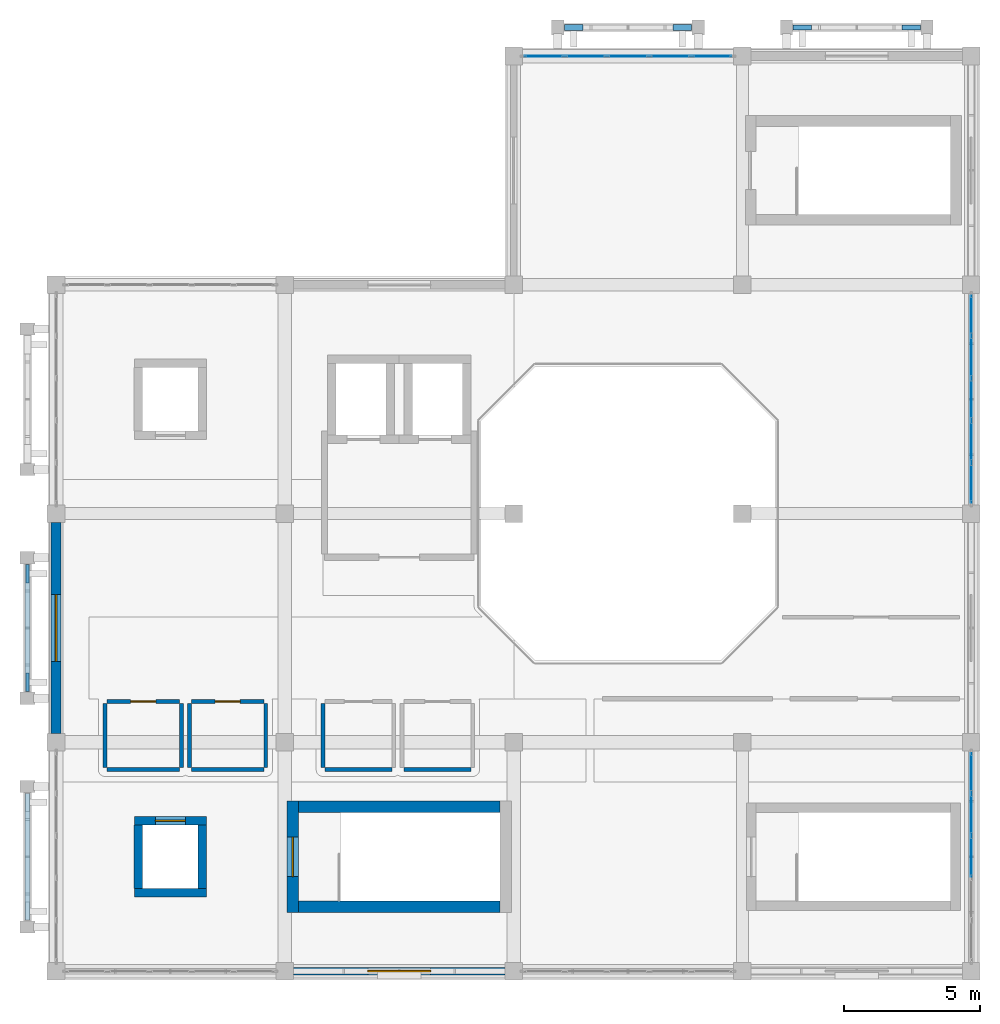
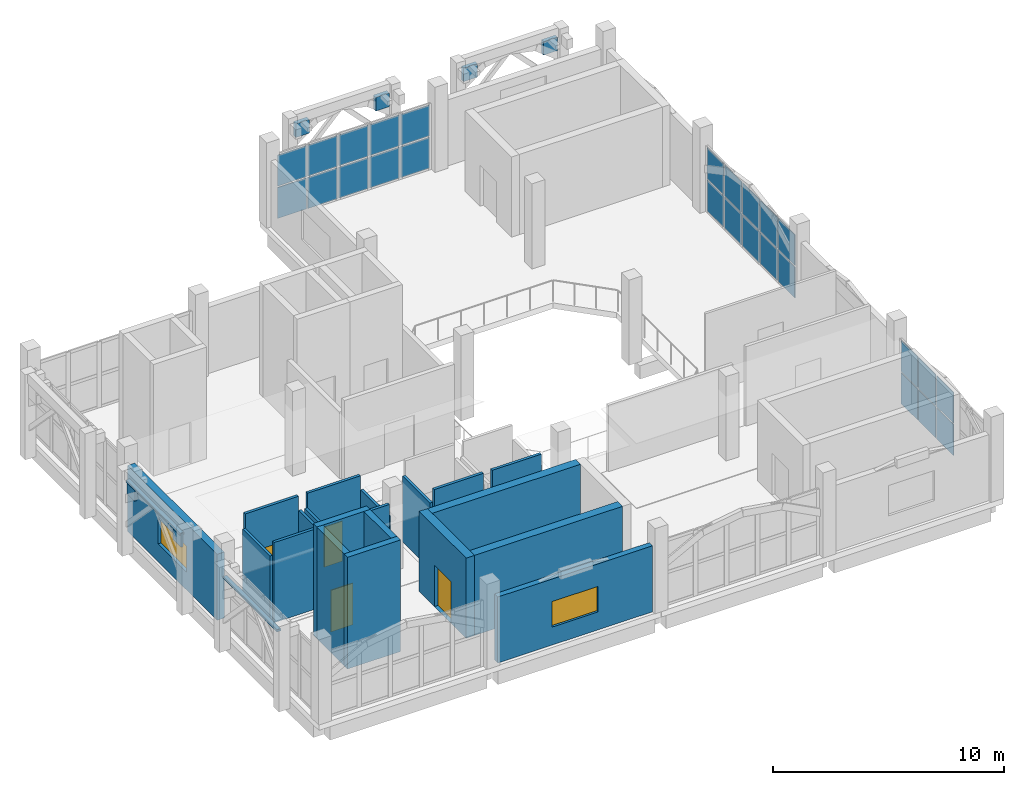
# One storey, part 13 of 16: 32 plates, 22 walls, 4 doors, 2 windows, 6 openings, 3 elements without a shape of their own.
"""IFC4 building model written with IfcOpenShell, lengths in metres."""

from ifc_helpers import new_model, si_unit, direction, frame, frame_2d, origin, origin_2d, place, context, subcontext, project, spatial, rectangle, extrude, material, layer, layer_set, type_object, element, fill, aggregate, save


model = new_model("IFC4")

# Units and contexts
model_context = context("Model", 3, precision=1e-05, world=origin(), true_north=direction((0.0, 1.0)))
body_context = subcontext(model_context, "Body", "Model", "MODEL_VIEW")
ifc_project = project(units=[si_unit("LENGTHUNIT", "METRE"), si_unit("AREAUNIT", "SQUARE_METRE"), si_unit("VOLUMEUNIT", "CUBIC_METRE"), si_unit("PLANEANGLEUNIT", "RADIAN"), si_unit("MASSUNIT", "GRAM", prefix="KILO")], contexts=[model_context])

# Site, building, storey
site_placement = place(None, origin())
site = spatial("IfcSite", under=ifc_project, at=site_placement, CompositionType="ELEMENT")
building_placement = place(site_placement, origin())
building = spatial("IfcBuilding", under=site, at=building_placement, Name="Xazarin Passage Department Store", CompositionType="ELEMENT")
storey_placement = place(building_placement, frame((0.0, 0.0, 32.39990234375)))
storey = spatial("IfcBuildingStorey", under=building, at=storey_placement, Name="L07", CompositionType="ELEMENT", Elevation=32.39990234375)

# Curtain wall, plates
ifc_material_1 = material(Name="Bronze anodised aluminium", Category="aluminium")
ifc_layer_1 = layer(ifc_material_1, 0.199951171875)
ifc_layer_set_1 = layer_set([ifc_layer_1], Name="Bronze anodised aluminium")
curtain_wall_type = type_object("IfcCurtainWallType", Name="ARC-CW-VIT2", PredefinedType="NOTDEFINED", material=ifc_layer_set_1)
curtain_wall_1_placement = place(storey_placement, origin())
curtain_wall_1 = element("IfcCurtainWall", 1, at=curtain_wall_1_placement, inside=storey, type_object=curtain_wall_type, Name="L07 V1 Curtain Wall 094", PredefinedType="NOTDEFINED")
ifc_material_2 = material(Name="Low-E laminated safety glass", Category="glass")
ifc_layer_2 = layer(ifc_material_2, 0.031982421875)
ifc_layer_set_2 = layer_set([ifc_layer_2], Name="Low-E laminated safety glass")
plate_type_1 = type_object("IfcPlateType", Name="ARC-CWP-GLZ32", PredefinedType="CURTAIN_PANEL", material=ifc_layer_set_2)
plate_1_placement = place(storey_placement, frame((17.918701171875, 110.0, 0.0751953125), z_axis=(0.0, 0.0, 1.0), x_axis=(1.0, 0.0, 0.0)))
plate_1 = element("IfcPlate", 2, at=plate_1_placement, type_object=plate_type_1, Name="CW2 panel 1.1", PredefinedType="CURTAIN_PANEL", context=body_context, shape_type="SweptSolid", body=[
    extrude(rectangle(XDim=1.4375, YDim=0.031982421875, at=origin_2d()), origin(), (0.0, 0.0, 1.0), 1.632568359375),
])
plate_2_placement = place(storey_placement, frame((17.918701171875, 110.0, 1.78271484375), z_axis=(0.0, 0.0, 1.0), x_axis=(1.0, 0.0, 0.0)))
plate_2 = element("IfcPlate", 3, at=plate_2_placement, type_object=plate_type_1, Name="CW2 panel 1.2", PredefinedType="CURTAIN_PANEL", context=body_context, shape_type="SweptSolid", body=[
    extrude(rectangle(XDim=1.4375, YDim=0.031982421875, at=origin_2d()), origin(), (0.0, 0.0, 1.0), 1.632568359375),
])
plate_3_placement = place(storey_placement, frame((19.449951171875, 110.0, 0.0751953125), z_axis=(0.0, 0.0, 1.0), x_axis=(1.0, 0.0, 0.0)))
plate_3 = element("IfcPlate", 4, at=plate_3_placement, type_object=plate_type_1, Name="CW2 panel 2.1", PredefinedType="CURTAIN_PANEL", context=body_context, shape_type="SweptSolid", body=[
    extrude(rectangle(XDim=1.47509765625, YDim=0.031982421875, at=origin_2d()), origin(), (0.0, 0.0, 1.0), 1.632568359375),
])
plate_4_placement = place(storey_placement, frame((19.449951171875, 110.0, 1.78271484375), z_axis=(0.0, 0.0, 1.0), x_axis=(1.0, 0.0, 0.0)))
plate_4 = element("IfcPlate", 5, at=plate_4_placement, type_object=plate_type_1, Name="CW2 panel 2.2", PredefinedType="CURTAIN_PANEL", context=body_context, shape_type="SweptSolid", body=[
    extrude(rectangle(XDim=1.47509765625, YDim=0.031982421875, at=origin_2d()), origin(), (0.0, 0.0, 1.0), 1.632568359375),
])
plate_5_placement = place(storey_placement, frame((21.0, 110.0, 0.0751953125), z_axis=(0.0, 0.0, 1.0), x_axis=(1.0, 0.0, 0.0)))
plate_5 = element("IfcPlate", 6, at=plate_5_placement, type_object=plate_type_1, Name="CW2 panel 3.1", PredefinedType="CURTAIN_PANEL", context=body_context, shape_type="SweptSolid", body=[
    extrude(rectangle(XDim=1.47509765625, YDim=0.031982421875, at=origin_2d()), origin(), (0.0, 0.0, 1.0), 1.632568359375),
])
plate_6_placement = place(storey_placement, frame((21.0, 110.0, 1.78271484375), z_axis=(0.0, 0.0, 1.0), x_axis=(1.0, 0.0, 0.0)))
plate_6 = element("IfcPlate", 7, at=plate_6_placement, type_object=plate_type_1, Name="CW2 panel 3.2", PredefinedType="CURTAIN_PANEL", context=body_context, shape_type="SweptSolid", body=[
    extrude(rectangle(XDim=1.47509765625, YDim=0.031982421875, at=origin_2d()), origin(), (0.0, 0.0, 1.0), 1.632568359375),
])
plate_7_placement = place(storey_placement, frame((22.550048828125, 110.0, 0.0751953125), z_axis=(0.0, 0.0, 1.0), x_axis=(1.0, 0.0, 0.0)))
plate_7 = element("IfcPlate", 8, at=plate_7_placement, type_object=plate_type_1, Name="CW2 panel 4.1", PredefinedType="CURTAIN_PANEL", context=body_context, shape_type="SweptSolid", body=[
    extrude(rectangle(XDim=1.47509765625, YDim=0.031982421875, at=origin_2d()), origin(), (0.0, 0.0, 1.0), 1.632568359375),
])
plate_8_placement = place(storey_placement, frame((22.550048828125, 110.0, 1.78271484375), z_axis=(0.0, 0.0, 1.0), x_axis=(1.0, 0.0, 0.0)))
plate_8 = element("IfcPlate", 9, at=plate_8_placement, type_object=plate_type_1, Name="CW2 panel 4.2", PredefinedType="CURTAIN_PANEL", context=body_context, shape_type="SweptSolid", body=[
    extrude(rectangle(XDim=1.47509765625, YDim=0.031982421875, at=origin_2d()), origin(), (0.0, 0.0, 1.0), 1.632568359375),
])
plate_9_placement = place(storey_placement, frame((24.081298828125, 110.0, 0.0751953125), z_axis=(0.0, 0.0, 1.0), x_axis=(1.0, 0.0, 0.0)))
plate_9 = element("IfcPlate", 10, at=plate_9_placement, type_object=plate_type_1, Name="CW2 panel 5.1", PredefinedType="CURTAIN_PANEL", context=body_context, shape_type="SweptSolid", body=[
    extrude(rectangle(XDim=1.4375, YDim=0.031982421875, at=origin_2d()), origin(), (0.0, 0.0, 1.0), 1.632568359375),
])
plate_10_placement = place(storey_placement, frame((24.081298828125, 110.0, 1.78271484375), z_axis=(0.0, 0.0, 1.0), x_axis=(1.0, 0.0, 0.0)))
plate_10 = element("IfcPlate", 11, at=plate_10_placement, type_object=plate_type_1, Name="CW2 panel 5.2", PredefinedType="CURTAIN_PANEL", context=body_context, shape_type="SweptSolid", body=[
    extrude(rectangle(XDim=1.4375, YDim=0.031982421875, at=origin_2d()), origin(), (0.0, 0.0, 1.0), 1.632568359375),
])
aggregate(curtain_wall_1, [plate_1, plate_2, plate_3, plate_4, plate_5, plate_6, plate_7, plate_8, plate_9, plate_10])

curtain_wall_2_placement = place(storey_placement, origin())
curtain_wall_2 = element("IfcCurtainWall", 12, at=curtain_wall_2_placement, inside=storey, type_object=curtain_wall_type, Name="L07 V1 Curtain Wall 097", PredefinedType="NOTDEFINED")
plate_11_placement = place(storey_placement, frame((33.60009765625, 80.60009765625, 0.0751953125), z_axis=(0.0, 0.0, 1.0), x_axis=(0.0, 1.0, 0.0)))
plate_11 = element("IfcPlate", 13, at=plate_11_placement, type_object=plate_type_1, Name="CW2 panel 3.1", PredefinedType="CURTAIN_PANEL", context=body_context, shape_type="SweptSolid", body=[
    extrude(rectangle(XDim=1.47509765625, YDim=0.031982421875, at=origin_2d()), origin(), (0.0, 0.0, 1.0), 1.632568359375),
])
plate_12_placement = place(storey_placement, frame((33.60009765625, 80.60009765625, 1.78271484375), z_axis=(0.0, 0.0, 1.0), x_axis=(0.0, 1.0, 0.0)))
plate_12 = element("IfcPlate", 14, at=plate_12_placement, type_object=plate_type_1, Name="CW2 panel 3.2", PredefinedType="CURTAIN_PANEL", context=body_context, shape_type="SweptSolid", body=[
    extrude(rectangle(XDim=1.47509765625, YDim=0.031982421875, at=origin_2d()), origin(), (0.0, 0.0, 1.0), 1.632568359375),
])
plate_13_placement = place(storey_placement, frame((33.60009765625, 82.14990234375, 0.0751953125), z_axis=(0.0, 0.0, 1.0), x_axis=(0.0, 1.0, 0.0)))
plate_13 = element("IfcPlate", 15, at=plate_13_placement, type_object=plate_type_1, Name="CW2 panel 4.1", PredefinedType="CURTAIN_PANEL", context=body_context, shape_type="SweptSolid", body=[
    extrude(rectangle(XDim=1.47509765625, YDim=0.031982421875, at=origin_2d()), origin(), (0.0, 0.0, 1.0), 1.632568359375),
])
plate_14_placement = place(storey_placement, frame((33.60009765625, 82.14990234375, 1.78271484375), z_axis=(0.0, 0.0, 1.0), x_axis=(0.0, 1.0, 0.0)))
plate_14 = element("IfcPlate", 16, at=plate_14_placement, type_object=plate_type_1, Name="CW2 panel 4.2", PredefinedType="CURTAIN_PANEL", context=body_context, shape_type="SweptSolid", body=[
    extrude(rectangle(XDim=1.47509765625, YDim=0.031982421875, at=origin_2d()), origin(), (0.0, 0.0, 1.0), 1.632568359375),
])
plate_15_placement = place(storey_placement, frame((33.60009765625, 83.68115234375, 0.0751953125), z_axis=(0.0, 0.0, 1.0), x_axis=(0.0, 1.0, 0.0)))
plate_15 = element("IfcPlate", 17, at=plate_15_placement, type_object=plate_type_1, Name="CW2 panel 5.1", PredefinedType="CURTAIN_PANEL", context=body_context, shape_type="SweptSolid", body=[
    extrude(rectangle(XDim=1.4375, YDim=0.031982421875, at=origin_2d()), origin(), (0.0, 0.0, 1.0), 1.632568359375),
])
plate_16_placement = place(storey_placement, frame((33.60009765625, 83.68115234375, 1.78271484375), z_axis=(0.0, 0.0, 1.0), x_axis=(0.0, 1.0, 0.0)))
plate_16 = element("IfcPlate", 18, at=plate_16_placement, type_object=plate_type_1, Name="CW2 panel 5.2", PredefinedType="CURTAIN_PANEL", context=body_context, shape_type="SweptSolid", body=[
    extrude(rectangle(XDim=1.4375, YDim=0.031982421875, at=origin_2d()), origin(), (0.0, 0.0, 1.0), 1.632568359375),
])
aggregate(curtain_wall_2, [plate_11, plate_12, plate_13, plate_14, plate_15, plate_16])

curtain_wall_3_placement = place(storey_placement, origin())
curtain_wall_3 = element("IfcCurtainWall", 19, at=curtain_wall_3_placement, inside=storey, type_object=curtain_wall_type, Name="L07 V1 Curtain Wall 098", PredefinedType="NOTDEFINED")
plate_17_placement = place(storey_placement, frame((33.60009765625, 94.31884765625, 0.0751953125), z_axis=(0.0, 0.0, 1.0), x_axis=(0.0, 1.0, 0.0)))
plate_17 = element("IfcPlate", 20, at=plate_17_placement, type_object=plate_type_1, Name="CW2 panel 1.1", PredefinedType="CURTAIN_PANEL", context=body_context, shape_type="SweptSolid", body=[
    extrude(rectangle(XDim=1.4375, YDim=0.031982421875, at=origin_2d()), origin(), (0.0, 0.0, 1.0), 1.632568359375),
])
plate_18_placement = place(storey_placement, frame((33.60009765625, 94.31884765625, 1.78271484375), z_axis=(0.0, 0.0, 1.0), x_axis=(0.0, 1.0, 0.0)))
plate_18 = element("IfcPlate", 21, at=plate_18_placement, type_object=plate_type_1, Name="CW2 panel 1.2", PredefinedType="CURTAIN_PANEL", context=body_context, shape_type="SweptSolid", body=[
    extrude(rectangle(XDim=1.4375, YDim=0.031982421875, at=origin_2d()), origin(), (0.0, 0.0, 1.0), 1.632568359375),
])
plate_19_placement = place(storey_placement, frame((33.60009765625, 95.85009765625, 0.0751953125), z_axis=(0.0, 0.0, 1.0), x_axis=(0.0, 1.0, 0.0)))
plate_19 = element("IfcPlate", 22, at=plate_19_placement, type_object=plate_type_1, Name="CW2 panel 2.1", PredefinedType="CURTAIN_PANEL", context=body_context, shape_type="SweptSolid", body=[
    extrude(rectangle(XDim=1.47509765625, YDim=0.031982421875, at=origin_2d()), origin(), (0.0, 0.0, 1.0), 1.632568359375),
])
plate_20_placement = place(storey_placement, frame((33.60009765625, 95.85009765625, 1.78271484375), z_axis=(0.0, 0.0, 1.0), x_axis=(0.0, 1.0, 0.0)))
plate_20 = element("IfcPlate", 23, at=plate_20_placement, type_object=plate_type_1, Name="CW2 panel 2.2", PredefinedType="CURTAIN_PANEL", context=body_context, shape_type="SweptSolid", body=[
    extrude(rectangle(XDim=1.47509765625, YDim=0.031982421875, at=origin_2d()), origin(), (0.0, 0.0, 1.0), 1.632568359375),
])
plate_21_placement = place(storey_placement, frame((33.60009765625, 97.39990234375, 0.0751953125), z_axis=(0.0, 0.0, 1.0), x_axis=(0.0, 1.0, 0.0)))
plate_21 = element("IfcPlate", 24, at=plate_21_placement, type_object=plate_type_1, Name="CW2 panel 3.1", PredefinedType="CURTAIN_PANEL", context=body_context, shape_type="SweptSolid", body=[
    extrude(rectangle(XDim=1.47509765625, YDim=0.031982421875, at=origin_2d()), origin(), (0.0, 0.0, 1.0), 1.632568359375),
])
plate_22_placement = place(storey_placement, frame((33.60009765625, 97.39990234375, 1.78271484375), z_axis=(0.0, 0.0, 1.0), x_axis=(0.0, 1.0, 0.0)))
plate_22 = element("IfcPlate", 25, at=plate_22_placement, type_object=plate_type_1, Name="CW2 panel 3.2", PredefinedType="CURTAIN_PANEL", context=body_context, shape_type="SweptSolid", body=[
    extrude(rectangle(XDim=1.47509765625, YDim=0.031982421875, at=origin_2d()), origin(), (0.0, 0.0, 1.0), 1.632568359375),
])
plate_23_placement = place(storey_placement, frame((33.60009765625, 98.949951171875, 0.0751953125), z_axis=(0.0, 0.0, 1.0), x_axis=(0.0, 1.0, 0.0)))
plate_23 = element("IfcPlate", 26, at=plate_23_placement, type_object=plate_type_1, Name="CW2 panel 4.1", PredefinedType="CURTAIN_PANEL", context=body_context, shape_type="SweptSolid", body=[
    extrude(rectangle(XDim=1.47509765625, YDim=0.031982421875, at=origin_2d()), origin(), (0.0, 0.0, 1.0), 1.632568359375),
])
plate_24_placement = place(storey_placement, frame((33.60009765625, 98.949951171875, 1.78271484375), z_axis=(0.0, 0.0, 1.0), x_axis=(0.0, 1.0, 0.0)))
plate_24 = element("IfcPlate", 27, at=plate_24_placement, type_object=plate_type_1, Name="CW2 panel 4.2", PredefinedType="CURTAIN_PANEL", context=body_context, shape_type="SweptSolid", body=[
    extrude(rectangle(XDim=1.47509765625, YDim=0.031982421875, at=origin_2d()), origin(), (0.0, 0.0, 1.0), 1.632568359375),
])
plate_25_placement = place(storey_placement, frame((33.60009765625, 100.481201171875, 0.0751953125), z_axis=(0.0, 0.0, 1.0), x_axis=(0.0, 1.0, 0.0)))
plate_25 = element("IfcPlate", 28, at=plate_25_placement, type_object=plate_type_1, Name="CW2 panel 5.1", PredefinedType="CURTAIN_PANEL", context=body_context, shape_type="SweptSolid", body=[
    extrude(rectangle(XDim=1.4375, YDim=0.031982421875, at=origin_2d()), origin(), (0.0, 0.0, 1.0), 1.632568359375),
])
plate_26_placement = place(storey_placement, frame((33.60009765625, 100.481201171875, 1.78271484375), z_axis=(0.0, 0.0, 1.0), x_axis=(0.0, 1.0, 0.0)))
plate_26 = element("IfcPlate", 29, at=plate_26_placement, type_object=plate_type_1, Name="CW2 panel 5.2", PredefinedType="CURTAIN_PANEL", context=body_context, shape_type="SweptSolid", body=[
    extrude(rectangle(XDim=1.4375, YDim=0.031982421875, at=origin_2d()), origin(), (0.0, 0.0, 1.0), 1.632568359375),
])
aggregate(curtain_wall_3, [plate_17, plate_18, plate_19, plate_20, plate_21, plate_22, plate_23, plate_24, plate_25, plate_26])

# Plates
ifc_material_3 = material(Name="Precast concrete C40/50", Category="concrete")
ifc_layer_3 = layer(ifc_material_3, 0.10009765625)
ifc_layer_set_3 = layer_set([ifc_layer_3], Name="Precast concrete C40/50")
plate_type_2 = type_object("IfcPlateType", Name="ARC-PLT-SCR-03", PredefinedType="USERDEFINED", material=ifc_layer_set_3)
for number, where, z_axis, x_axis, name in (
    (30, (-1.050048828125, 87.0, 3.26025390625), (0.0, 0.0, 1.0), (0.0, 1.0, 0.0), "L07 V1 Arch Spandrel Tympanum 0123"),
    (31, (-1.050048828125, 91.0, 3.26025390625), (0.0, 0.0, 1.0), (0.0, 1.0, 0.0), "L07 V1 Arch Spandrel Tympanum 0124"),
):
    element("IfcPlate", number, at=place(storey_placement, frame(where, z_axis=z_axis, x_axis=x_axis)), inside=storey, type_object=plate_type_2, Name=name, ObjectType="SCREEN PANEL", PredefinedType="USERDEFINED", context=body_context, shape_type="SweptSolid", body=[
        extrude(rectangle(XDim=0.679931640625, YDim=0.10009765625, at=origin_2d()), origin(), (0.0, 0.0, 1.0), 0.719970703125),
    ])
ifc_layer_4 = layer(ifc_material_3, 0.179931640625)
ifc_layer_set_4 = layer_set([ifc_layer_4], Name="Precast concrete C40/50")
plate_type_3 = type_object("IfcPlateType", Name="ARC-PLT-SCR-11", PredefinedType="USERDEFINED", material=ifc_layer_set_4)
for number, where, z_axis, x_axis, name in (
    (32, (27.39990234375, 111.050048828125, 3.26025390625), (0.0, 0.0, 1.0), (1.0, 0.0, 0.0), "L07 V1 Arch Spandrel Tympanum 0031"),
    (33, (31.39990234375, 111.050048828125, 3.26025390625), (0.0, 0.0, 1.0), (1.0, 0.0, 0.0), "L07 V1 Arch Spandrel Tympanum 0032"),
):
    element("IfcPlate", number, at=place(storey_placement, frame(where, z_axis=z_axis, x_axis=x_axis)), inside=storey, type_object=plate_type_3, Name=name, ObjectType="SCREEN PANEL", PredefinedType="USERDEFINED", context=body_context, shape_type="SweptSolid", body=[
        extrude(rectangle(XDim=0.679931640625, YDim=0.179931640625, at=origin_2d()), origin(), (0.0, 0.0, 1.0), 0.719970703125),
    ])
ifc_layer_5 = layer(ifc_material_3, 0.219970703125)
ifc_layer_set_5 = layer_set([ifc_layer_5], Name="Precast concrete C40/50")
plate_type_4 = type_object("IfcPlateType", Name="ARC-PLT-SCR-15", PredefinedType="USERDEFINED", material=ifc_layer_set_5)
for number, where, z_axis, x_axis, name in (
    (34, (19.0, 111.050048828125, 3.26025390625), (0.0, 0.0, 1.0), (1.0, 0.0, 0.0), "L07 V1 Arch Spandrel Tympanum 0015"),
    (35, (23.0, 111.050048828125, 3.26025390625), (0.0, 0.0, 1.0), (1.0, 0.0, 0.0), "L07 V1 Arch Spandrel Tympanum 0016"),
):
    element("IfcPlate", number, at=place(storey_placement, frame(where, z_axis=z_axis, x_axis=x_axis)), inside=storey, type_object=plate_type_4, Name=name, ObjectType="SCREEN PANEL", PredefinedType="USERDEFINED", context=body_context, shape_type="SweptSolid", body=[
        extrude(rectangle(XDim=0.679931640625, YDim=0.219970703125, at=origin_2d()), origin(), (0.0, 0.0, 1.0), 0.719970703125),
    ])

# Wall, opening, window
ifc_layer_6 = layer(ifc_material_3, 0.280029296875)
ifc_layer_set_6 = layer_set([ifc_layer_6], Name="Precast concrete C40/50")
wall_type_1 = type_object("IfcWallType", Name="ARC-W-EXT280", PredefinedType="SOLIDWALL", material=ifc_layer_set_6)
wall_1_placement = place(storey_placement, frame((8.72509765625, 76.39990234375, 0.0), z_axis=(0.0, 0.0, 1.0), x_axis=(1.0, 0.0, 0.0)))
wall_1 = element("IfcWall", 36, at=wall_1_placement, inside=storey, type_object=wall_type_1, Name="L07 V1 Exterior Wall 079", PredefinedType="SOLIDWALL", context=body_context, shape_type="SweptSolid", body=[
    extrude(rectangle(XDim=7.75, YDim=0.280029296875, at=frame_2d((3.875, 0.0))), origin(), (0.0, 0.0, 1.0), 3.489990234375),
])
opening_1_placement = place(wall_1_placement, frame((2.72509765625, 0.0, 0.949951171875)))
opening_1 = element("IfcOpeningElement", 37, at=opening_1_placement, cuts=wall_1, Name="Opening W37", PredefinedType="OPENING", context=body_context, shape_type="SweptSolid", body=[
    extrude(rectangle(XDim=2.300048828125, YDim=1.35009765625, at=frame_2d((1.14990234375, 0.675048828125))), frame((0.0, 0.14990234375, 0.0), z_axis=(0.0, -1.0, 0.0), x_axis=(1.0, 0.0, 0.0)), (0.0, 0.0, 1.0), 0.300048828125),
])
window_type_1 = type_object("IfcWindowType", Name="ARC-WIN-W37", PartitioningType="DOUBLE_PANEL_VERTICAL", PredefinedType="WINDOW", material=ifc_material_2)
window_1_placement = place(opening_1_placement, origin())
window_1 = element("IfcWindow", 38, at=window_1_placement, inside=storey, type_object=window_type_1, Name="L07 V1 Facade Window 0037", OverallHeight=1.35009765625, OverallWidth=2.300048828125, PartitioningType="DOUBLE_PANEL_VERTICAL", PredefinedType="WINDOW", context=body_context, shape_type="SweptSolid", body=[
    extrude(rectangle(XDim=2.300048828125, YDim=1.35009765625, at=frame_2d((1.14990234375, 0.675048828125))), frame((0.0, 0.030029296875, 0.0), z_axis=(0.0, -1.0, 0.0), x_axis=(1.0, 0.0, 0.0)), (0.0, 0.0, 1.0), 0.06005859375),
])
fill(opening_1, window_1)

ifc_material_4 = material(Name="Absheron limestone cladding", Category="masonry")
ifc_layer_7 = layer(ifc_material_4, 0.360107421875)
ifc_layer_set_7 = layer_set([ifc_layer_7], Name="Absheron limestone cladding")
wall_type_2 = type_object("IfcWallType", Name="ARC-W-EXT360", PredefinedType="SOLIDWALL", material=ifc_layer_set_7)
wall_2_placement = place(storey_placement, frame((0.0, 85.125, 0.0), z_axis=(0.0, 0.0, 1.0), x_axis=(0.0, 1.0, 0.0)))
wall_2 = element("IfcWall", 39, at=wall_2_placement, inside=storey, type_object=wall_type_2, Name="L07 V1 Exterior Wall 083", PredefinedType="SOLIDWALL", context=body_context, shape_type="SweptSolid", body=[
    extrude(rectangle(XDim=7.75, YDim=0.360107421875, at=frame_2d((3.875, 0.0))), origin(), (0.0, 0.0, 1.0), 3.489990234375),
])
opening_2_placement = place(wall_2_placement, frame((2.64990234375, 0.0, 0.949951171875)))
opening_2 = element("IfcOpeningElement", 40, at=opening_2_placement, cuts=wall_2, Name="Opening W41", PredefinedType="OPENING", context=body_context, shape_type="SweptSolid", body=[
    extrude(rectangle(XDim=2.449951171875, YDim=1.35009765625, at=frame_2d((1.22509765625, 0.675048828125))), frame((0.0, 0.18994140625, 0.0), z_axis=(0.0, -1.0, 0.0), x_axis=(1.0, 0.0, 0.0)), (0.0, 0.0, 1.0), 0.380126953125),
])
window_type_2 = type_object("IfcWindowType", Name="ARC-WIN-W41", PartitioningType="DOUBLE_PANEL_VERTICAL", PredefinedType="WINDOW", material=ifc_material_2)
window_2_placement = place(opening_2_placement, origin())
window_2 = element("IfcWindow", 41, at=window_2_placement, inside=storey, type_object=window_type_2, Name="L07 V1 Facade Window 0041", OverallHeight=1.35009765625, OverallWidth=2.449951171875, PartitioningType="DOUBLE_PANEL_VERTICAL", PredefinedType="WINDOW", context=body_context, shape_type="SweptSolid", body=[
    extrude(rectangle(XDim=2.449951171875, YDim=1.35009765625, at=frame_2d((1.22509765625, 0.675048828125))), frame((0.0, 0.030029296875, 0.0), z_axis=(0.0, -1.0, 0.0), x_axis=(1.0, 0.0, 0.0)), (0.0, 0.0, 1.0), 0.06005859375),
])
fill(opening_2, window_2)

# Walls
ifc_layer_8 = layer(ifc_material_3, 0.18994140625)
ifc_layer_set_8 = layer_set([ifc_layer_8], Name="Precast concrete C40/50")
wall_type_3 = type_object("IfcWallType", Name="ARC-W-PAR190", PredefinedType="PARAPET", material=ifc_layer_set_8)
wall_3_placement = place(storey_placement, frame((-1.050048828125, 78.27001953125, 3.880126953125), z_axis=(0.0, 0.0, 1.0), x_axis=(0.0, 1.0, 0.0)))
element("IfcWall", 42, at=wall_3_placement, inside=storey, type_object=wall_type_3, Name="L07 V1 Pierced-Arch Spandrel Lintel 0054", PredefinedType="PARAPET", context=body_context, shape_type="SweptSolid", body=[
    extrude(rectangle(XDim=4.659912109375, YDim=0.18994140625, at=frame_2d((2.330078125, 0.0))), origin(), (0.0, 0.0, 1.0), 0.119873046875),
])
wall_4_placement = place(storey_placement, frame((-1.050048828125, 86.669921875, 3.880126953125), z_axis=(0.0, 0.0, 1.0), x_axis=(0.0, 1.0, 0.0)))
element("IfcWall", 43, at=wall_4_placement, inside=storey, type_object=wall_type_3, Name="L07 V1 Pierced-Arch Spandrel Lintel 0062", PredefinedType="PARAPET", context=body_context, shape_type="SweptSolid", body=[
    extrude(rectangle(XDim=4.66015625, YDim=0.18994140625, at=frame_2d((2.330078125, 0.0))), origin(), (0.0, 0.0, 1.0), 0.119873046875),
])

# Wall, opening, door
ifc_material_5 = material(Name="Moisture-resistant masonry partition", Category="masonry")
ifc_layer_9 = layer(ifc_material_5, 0.139892578125)
ifc_layer_set_9 = layer_set([ifc_layer_9], Name="Moisture-resistant masonry partition")
wall_type_4 = type_object("IfcWallType", Name="ARC-W-PRT140", PredefinedType="PARTITIONING", material=ifc_layer_set_9)
wall_5_placement = place(storey_placement, frame((1.8701171875, 86.300048828125, 0.0), z_axis=(0.0, 0.0, 1.0), x_axis=(1.0, 0.0, 0.0)))
wall_5 = element("IfcWall", 44, at=wall_5_placement, inside=storey, type_object=wall_type_4, Name="L07 Public Male WC 0291", PredefinedType="PARTITIONING", context=body_context, shape_type="SweptSolid", body=[
    extrude(rectangle(XDim=2.659912109375, YDim=0.139892578125, at=frame_2d((1.330078125, 0.0))), origin(), (0.0, 0.0, 1.0), 4.239990234375),
])
opening_3_placement = place(wall_5_placement, frame((0.8701171875, 0.0, 0.0)))
opening_3 = element("IfcOpeningElement", 45, at=opening_3_placement, cuts=wall_5, Name="Opening ID1", PredefinedType="OPENING", context=body_context, shape_type="SweptSolid", body=[
    extrude(rectangle(XDim=0.919921875, YDim=2.1201171875, at=frame_2d((0.4599609375, 1.06005859375))), frame((0.0, 0.079833984375, 0.0), z_axis=(0.0, -1.0, 0.0), x_axis=(1.0, 0.0, 0.0)), (0.0, 0.0, 1.0), 0.159912109375),
])
ifc_material_6 = material(Name="Timber acoustic leaf", Category="wood")
door_type_1 = type_object("IfcDoorType", Name="ARC-DR-WC092", OperationType="NOTDEFINED", PredefinedType="DOOR", material=ifc_material_6)
door_1_placement = place(opening_3_placement, origin())
door_1 = element("IfcDoor", 46, at=door_1_placement, inside=storey, type_object=door_type_1, Name="DR-INT-L07-0291", OperationType="SINGLE_SWING_LEFT", OverallHeight=2.1201171875, OverallWidth=0.919921875, PredefinedType="DOOR", context=body_context, shape_type="SweptSolid", body=[
    extrude(rectangle(XDim=0.919921875, YDim=2.1201171875, at=frame_2d((0.4599609375, 1.06005859375))), frame((0.0, 0.02490234375, 0.0), z_axis=(0.0, -1.0, 0.0), x_axis=(1.0, 0.0, 0.0)), (0.0, 0.0, 1.0), 0.050048828125),
])
fill(opening_3, door_1)

# Walls
wall_6_placement = place(storey_placement, frame((1.8701171875, 83.800048828125, 0.0), z_axis=(0.0, 0.0, 1.0), x_axis=(1.0, 0.0, 0.0)))
element("IfcWall", 47, at=wall_6_placement, inside=storey, type_object=wall_type_4, Name="L07 Public Male WC Back Wall 0292", PredefinedType="PARTITIONING", context=body_context, shape_type="SweptSolid", body=[
    extrude(rectangle(XDim=2.659912109375, YDim=0.139892578125, at=frame_2d((1.330078125, 0.0))), origin(), (0.0, 0.0, 1.0), 4.239990234375),
])
for number, where, z_axis, x_axis, name in (
    (48, (1.800048828125, 83.8701171875, 0.0), (0.0, 0.0, 1.0), (0.0, 1.0, 0.0), "L07 Public Male WC Side Wall 0293"),
    (49, (4.60009765625, 83.8701171875, 0.0), (0.0, 0.0, 1.0), (0.0, 1.0, 0.0), "L07 Public Male WC Side Wall 0294"),
):
    element("IfcWall", number, at=place(storey_placement, frame(where, z_axis=z_axis, x_axis=x_axis)), inside=storey, type_object=wall_type_4, Name=name, PredefinedType="PARTITIONING", context=body_context, shape_type="SweptSolid", body=[
        extrude(rectangle(XDim=2.35986328125, YDim=0.139892578125, at=frame_2d((1.179931640625, 0.0))), origin(), (0.0, 0.0, 1.0), 3.489990234375),
    ])

# Wall, opening, door
wall_7_placement = place(storey_placement, frame((4.969970703125, 86.300048828125, 0.0), z_axis=(0.0, 0.0, 1.0), x_axis=(1.0, 0.0, 0.0)))
wall_7 = element("IfcWall", 50, at=wall_7_placement, inside=storey, type_object=wall_type_4, Name="L07 Public Female WC 0295", PredefinedType="PARTITIONING", context=body_context, shape_type="SweptSolid", body=[
    extrude(rectangle(XDim=2.659912109375, YDim=0.139892578125, at=frame_2d((1.330078125, 0.0))), origin(), (0.0, 0.0, 1.0), 4.239990234375),
])
opening_4_placement = place(wall_7_placement, frame((0.8701171875, 0.0, 0.0)))
opening_4 = element("IfcOpeningElement", 51, at=opening_4_placement, cuts=wall_7, Name="Opening ID1", PredefinedType="OPENING", context=body_context, shape_type="SweptSolid", body=[
    extrude(rectangle(XDim=0.919921875, YDim=2.1201171875, at=frame_2d((0.4599609375, 1.06005859375))), frame((0.0, 0.079833984375, 0.0), z_axis=(0.0, -1.0, 0.0), x_axis=(1.0, 0.0, 0.0)), (0.0, 0.0, 1.0), 0.159912109375),
])
door_2_placement = place(opening_4_placement, origin())
door_2 = element("IfcDoor", 52, at=door_2_placement, inside=storey, type_object=door_type_1, Name="DR-INT-L07-0295", OperationType="SINGLE_SWING_RIGHT", OverallHeight=2.1201171875, OverallWidth=0.919921875, PredefinedType="DOOR", context=body_context, shape_type="SweptSolid", body=[
    extrude(rectangle(XDim=0.919921875, YDim=2.1201171875, at=frame_2d((0.4599609375, 1.06005859375))), frame((0.0, 0.02490234375, 0.0), z_axis=(0.0, -1.0, 0.0), x_axis=(1.0, 0.0, 0.0)), (0.0, 0.0, 1.0), 0.050048828125),
])
fill(opening_4, door_2)

# Walls
wall_8_placement = place(storey_placement, frame((4.969970703125, 83.800048828125, 0.0), z_axis=(0.0, 0.0, 1.0), x_axis=(1.0, 0.0, 0.0)))
element("IfcWall", 53, at=wall_8_placement, inside=storey, type_object=wall_type_4, Name="L07 Public Female WC Back Wall 0296", PredefinedType="PARTITIONING", context=body_context, shape_type="SweptSolid", body=[
    extrude(rectangle(XDim=2.659912109375, YDim=0.139892578125, at=frame_2d((1.330078125, 0.0))), origin(), (0.0, 0.0, 1.0), 4.239990234375),
])
for number, where, z_axis, x_axis, name in (
    (54, (4.89990234375, 83.8701171875, 0.0), (0.0, 0.0, 1.0), (0.0, 1.0, 0.0), "L07 Public Female WC Side Wall 0297"),
    (55, (7.699951171875, 83.8701171875, 0.0), (0.0, 0.0, 1.0), (0.0, 1.0, 0.0), "L07 Public Female WC Side Wall 0298"),
):
    element("IfcWall", number, at=place(storey_placement, frame(where, z_axis=z_axis, x_axis=x_axis)), inside=storey, type_object=wall_type_4, Name=name, PredefinedType="PARTITIONING", context=body_context, shape_type="SweptSolid", body=[
        extrude(rectangle(XDim=2.35986328125, YDim=0.139892578125, at=frame_2d((1.179931640625, 0.0))), origin(), (0.0, 0.0, 1.0), 3.489990234375),
    ])
wall_9_placement = place(storey_placement, frame((9.8701171875, 83.800048828125, 0.0), z_axis=(0.0, 0.0, 1.0), x_axis=(1.0, 0.0, 0.0)))
element("IfcWall", 56, at=wall_9_placement, inside=storey, type_object=wall_type_4, Name="L07 Accessible WC Back Wall 0300", PredefinedType="PARTITIONING", context=body_context, shape_type="SweptSolid", body=[
    extrude(rectangle(XDim=2.4599609375, YDim=0.139892578125, at=frame_2d((1.22998046875, 0.0))), origin(), (0.0, 0.0, 1.0), 4.239990234375),
])
wall_10_placement = place(storey_placement, frame((9.800048828125, 83.8701171875, 0.0), z_axis=(0.0, 0.0, 1.0), x_axis=(0.0, 1.0, 0.0)))
element("IfcWall", 57, at=wall_10_placement, inside=storey, type_object=wall_type_4, Name="L07 Accessible WC Side Wall 0301", PredefinedType="PARTITIONING", context=body_context, shape_type="SweptSolid", body=[
    extrude(rectangle(XDim=2.35986328125, YDim=0.139892578125, at=frame_2d((1.179931640625, 0.0))), origin(), (0.0, 0.0, 1.0), 3.489990234375),
])
wall_11_placement = place(storey_placement, frame((12.77001953125, 83.800048828125, 0.0), z_axis=(0.0, 0.0, 1.0), x_axis=(1.0, 0.0, 0.0)))
element("IfcWall", 58, at=wall_11_placement, inside=storey, type_object=wall_type_4, Name="L07 Staff WC Back Wall 0304", PredefinedType="PARTITIONING", context=body_context, shape_type="SweptSolid", body=[
    extrude(rectangle(XDim=2.4599609375, YDim=0.139892578125, at=frame_2d((1.22998046875, 0.0))), origin(), (0.0, 0.0, 1.0), 4.239990234375),
])
ifc_material_7 = material(Name="Concrete C40/50", Category="concrete")
ifc_layer_10 = layer(ifc_material_7, 0.31005859375)
ifc_layer_set_10 = layer_set([ifc_layer_10], Name="Concrete C40/50")
wall_type_5 = type_object("IfcWallType", Name="STR-W-LFT310", PredefinedType="SHEAR", material=ifc_layer_set_10)
wall_12_placement = place(storey_placement, frame((2.8701171875, 79.27490234375, 0.0), z_axis=(0.0, 0.0, 1.0), x_axis=(1.0, 0.0, 0.0)))
element("IfcWall", 59, at=wall_12_placement, inside=storey, type_object=wall_type_5, Name="L07 Lift PL1 Shaft Wall South", PredefinedType="SHEAR", context=body_context, shape_type="SweptSolid", body=[
    extrude(rectangle(XDim=2.659912109375, YDim=0.31005859375, at=frame_2d((1.330078125, 0.0))), origin(), (0.0, 0.0, 1.0), 5.900146484375),
])

# Wall, opening, door
wall_13_placement = place(storey_placement, frame((2.8701171875, 81.925048828125, 0.0), z_axis=(0.0, 0.0, 1.0), x_axis=(1.0, 0.0, 0.0)))
wall_13 = element("IfcWall", 60, at=wall_13_placement, inside=storey, type_object=wall_type_5, Name="L07 Lift PL1 Shaft Wall North", PredefinedType="SHEAR", context=body_context, shape_type="SweptSolid", body=[
    extrude(rectangle(XDim=2.659912109375, YDim=0.31005859375, at=frame_2d((1.330078125, 0.0))), origin(), (0.0, 0.0, 1.0), 5.900146484375),
])
opening_5_placement = place(wall_13_placement, frame((0.780029296875, 0.0, 0.0)))
opening_5 = element("IfcOpeningElement", 61, at=opening_5_placement, cuts=wall_13, Name="Opening LD-PL1-L07", PredefinedType="OPENING", context=body_context, shape_type="SweptSolid", body=[
    extrude(rectangle(XDim=1.10009765625, YDim=2.199951171875, at=frame_2d((0.550048828125, 1.10009765625))), frame((0.0, 0.1650390625, 0.0), z_axis=(0.0, -1.0, 0.0), x_axis=(1.0, 0.0, 0.0)), (0.0, 0.0, 1.0), 0.330078125),
])
ifc_material_8 = material(Name="Steel S355", Category="steel")
door_type_2 = type_object("IfcDoorType", Name="ARC-DR-LD110", OperationType="NOTDEFINED", PredefinedType="DOOR", material=ifc_material_8)
door_3_placement = place(opening_5_placement, origin())
door_3 = element("IfcDoor", 62, at=door_3_placement, inside=storey, type_object=door_type_2, Name="DR-LD-PL1-L07", OperationType="SLIDING_TO_LEFT", OverallHeight=2.199951171875, OverallWidth=1.10009765625, PredefinedType="DOOR", context=body_context, shape_type="SweptSolid", body=[
    extrude(rectangle(XDim=1.10009765625, YDim=2.199951171875, at=frame_2d((0.550048828125, 1.10009765625))), frame((0.0, 0.02490234375, 0.0), z_axis=(0.0, -1.0, 0.0), x_axis=(1.0, 0.0, 0.0)), (0.0, 0.0, 1.0), 0.050048828125),
])
fill(opening_5, door_3)

# Walls
for number, where, z_axis, x_axis, name in (
    (63, (3.02490234375, 79.429931640625, 0.0), (0.0, 0.0, 1.0), (0.0, 1.0, 0.0), "L07 Lift PL1 Shaft Wall West"),
    (64, (5.375, 79.429931640625, 0.0), (0.0, 0.0, 1.0), (0.0, 1.0, 0.0), "L07 Lift PL1 Shaft Wall East"),
):
    element("IfcWall", number, at=place(storey_placement, frame(where, z_axis=z_axis, x_axis=x_axis)), inside=storey, type_object=wall_type_5, Name=name, PredefinedType="SHEAR", context=body_context, shape_type="SweptSolid", body=[
        extrude(rectangle(XDim=2.340087890625, YDim=0.31005859375, at=frame_2d((1.169921875, 0.0))), origin(), (0.0, 0.0, 1.0), 5.900146484375),
    ])

# Wall, opening, door
ifc_layer_11 = layer(ifc_material_7, 0.419921875)
ifc_layer_set_11 = layer_set([ifc_layer_11], Name="Concrete C40/50")
wall_type_6 = type_object("IfcWallType", Name="STR-W-SHR420", PredefinedType="SHEAR", material=ifc_layer_set_11)
wall_14_placement = place(storey_placement, frame((8.68994140625, 82.639892578125, 0.0), z_axis=(0.0, 0.0, 1.0), x_axis=(0.0, -1.0, 0.0)))
wall_14 = element("IfcWall", 65, at=wall_14_placement, inside=storey, type_object=wall_type_6, Name="L07 Core K1 West Shear Wall", PredefinedType="SHEAR", context=body_context, shape_type="SweptSolid", body=[
    extrude(rectangle(XDim=4.079833984375, YDim=0.419921875, at=frame_2d((2.0400390625, 0.0))), origin(), (0.0, 0.0, 1.0), 4.239990234375),
])
opening_6_placement = place(wall_14_placement, frame((1.31494140625, 0.0, 0.0)))
opening_6 = element("IfcOpeningElement", 66, at=opening_6_placement, cuts=wall_14, Name="Opening FD1", PredefinedType="OPENING", context=body_context, shape_type="SweptSolid", body=[
    extrude(rectangle(XDim=1.449951171875, YDim=2.199951171875, at=frame_2d((0.72509765625, 1.10009765625))), frame((0.0, 0.219970703125, 0.0), z_axis=(0.0, -1.0, 0.0), x_axis=(1.0, 0.0, 0.0)), (0.0, 0.0, 1.0), 0.43994140625),
])
door_type_3 = type_object("IfcDoorType", Name="ARC-DR-STR145", OperationType="NOTDEFINED", PredefinedType="DOOR", material=ifc_material_8)
door_4_placement = place(opening_6_placement, origin())
door_4 = element("IfcDoor", 67, at=door_4_placement, inside=storey, type_object=door_type_3, Name="DR-STR-K1-L07", OperationType="SINGLE_SWING_LEFT", OverallHeight=2.199951171875, OverallWidth=1.449951171875, PredefinedType="DOOR", context=body_context, shape_type="SweptSolid", body=[
    extrude(rectangle(XDim=1.449951171875, YDim=2.199951171875, at=frame_2d((0.72509765625, 1.10009765625))), frame((0.0, 0.02490234375, 0.0), z_axis=(0.0, -1.0, 0.0), x_axis=(1.0, 0.0, 0.0)), (0.0, 0.0, 1.0), 0.050048828125),
])
fill(opening_6, door_4)

# Walls
for number, where, z_axis, x_axis, name in (
    (68, (8.89990234375, 78.77001953125, 0.0), (0.0, 0.0, 1.0), (1.0, 0.0, 0.0), "L07 Core K1 South Shear Wall"),
    (69, (8.89990234375, 82.429931640625, 0.0), (0.0, 0.0, 1.0), (1.0, 0.0, 0.0), "L07 Core K1 North Shear Wall"),
):
    element("IfcWall", number, at=place(storey_placement, frame(where, z_axis=z_axis, x_axis=x_axis)), inside=storey, type_object=wall_type_6, Name=name, PredefinedType="SHEAR", context=body_context, shape_type="SweptSolid", body=[
        extrude(rectangle(XDim=7.400146484375, YDim=0.419921875, at=frame_2d((3.7001953125, 0.0))), origin(), (0.0, 0.0, 1.0), 4.239990234375),
    ])

save(model, "model.ifc")
